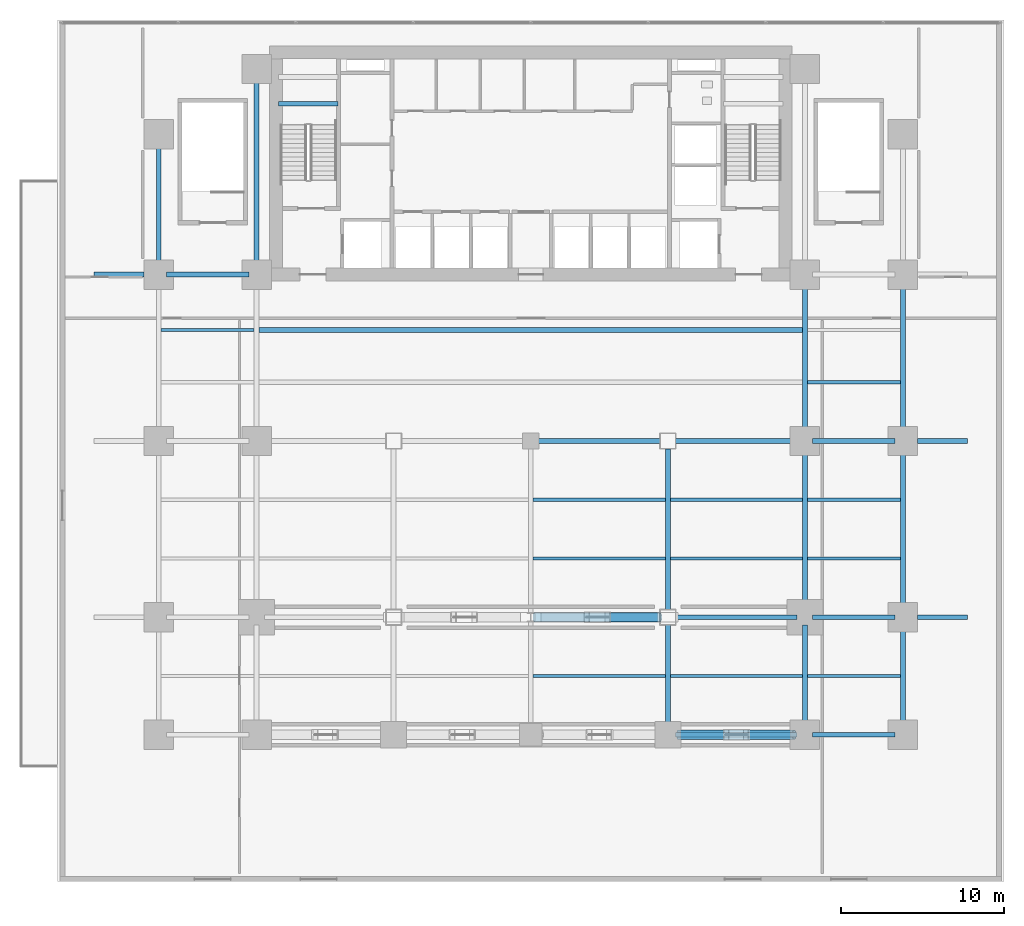
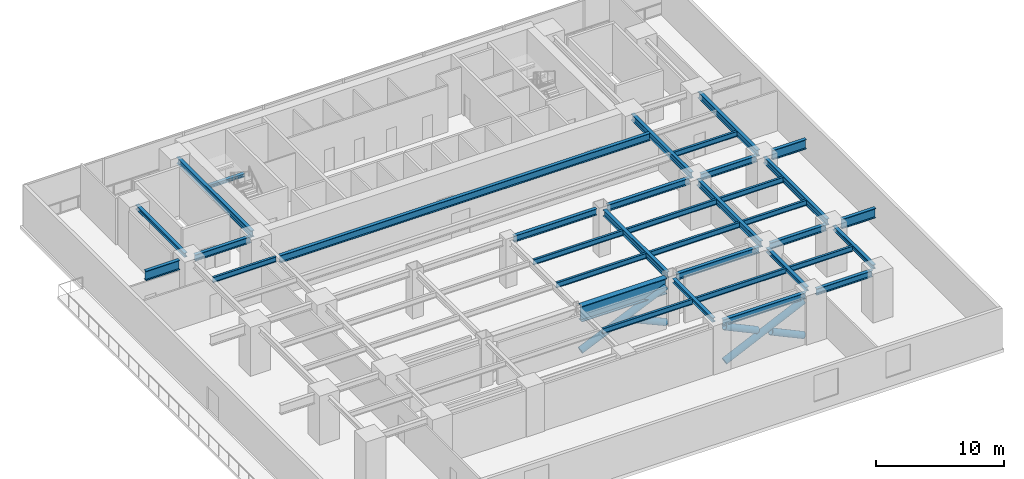
# One storey, part 2 of 15: 35 beams, 5 members.
"""IFC4 building model written with IfcOpenShell, lengths in metres."""

from ifc_helpers import new_model, si_unit, direction, frame, origin, origin_2d, place, context, subcontext, project, spatial, hollow_circle, i_section, extrude, source, transform, mapped, material, material_profile, profile_set, type_object, element, save


model = new_model("IFC4")

# Units and contexts
model_context = context("Model", 3, precision=1e-05, world=origin(), true_north=direction((0.0, 1.0)))
body_context = subcontext(model_context, "Body", "Model", "MODEL_VIEW")
ifc_project = project(units=[si_unit("LENGTHUNIT", "METRE"), si_unit("AREAUNIT", "SQUARE_METRE"), si_unit("VOLUMEUNIT", "CUBIC_METRE"), si_unit("PLANEANGLEUNIT", "RADIAN"), si_unit("MASSUNIT", "GRAM", prefix="KILO")], contexts=[model_context])

# Site, building, storey
site_placement = place(None, origin())
site = spatial("IfcSite", under=ifc_project, at=site_placement, CompositionType="ELEMENT")
building_placement = place(site_placement, origin())
building = spatial("IfcBuilding", under=site, at=building_placement, Name="Sumidabori Civic Tower", CompositionType="ELEMENT")
storey_placement = place(building_placement, frame((0.0, 0.0, 18.949951171875)))
storey = spatial("IfcBuildingStorey", under=building, at=storey_placement, Name="L04", CompositionType="ELEMENT", Elevation=18.949951171875)

# Beams
ifc_material_1 = material(Name="Steel SN490", Category="steel")
ifc_material_profile_1 = material_profile(ifc_material_1, i_section(OverallWidth=0.300048828125, OverallDepth=0.300048828125, WebThickness=0.010986328125, FlangeThickness=0.01904296875, at=origin_2d()), Name="HE 300 B")
ifc_profile_set_1 = profile_set([ifc_material_profile_1], Name="Steel SN490")
beam_type_1 = type_object("IfcBeamType", Name="BM-LDG-300", PredefinedType="BEAM", material=ifc_profile_set_1)
shared_shape_1 = source(origin(), body_context, "Body", "SweptSolid", [
    extrude(i_section(OverallWidth=0.300048828125, OverallDepth=0.300048828125, WebThickness=0.010986328125, FlangeThickness=0.01904296875, at=origin_2d()), origin(), (0.0, 0.0, 1.0), 3.64990234375),
])
beam_1_placement = place(storey_placement, frame((-15.449951171875, 20.668701171875, 1.97509765625), z_axis=(1.0, 0.0, 0.0), x_axis=(0.0, 1.0, 0.0)))
element("IfcBeam", 1, at=beam_1_placement, inside=storey, type_object=beam_type_1, Name="Stair ST-1 Landing Support Beam L04-1A", PredefinedType="BEAM", context=body_context, shape_type="MappedRepresentation", body=[
    mapped(shared_shape_1, transform((0.0, 0.0, 0.0), x_axis=(1.0, 0.0, 0.0), y_axis=(0.0, 1.0, 0.0), z_axis=(0.0, 0.0, 1.0), scale=1.0)),
])
ifc_material_profile_2 = material_profile(ifc_material_1, i_section(OverallWidth=0.300048828125, OverallDepth=0.60009765625, WebThickness=0.015380859375, FlangeThickness=0.030029296875, at=origin_2d()), Name="HE 600 B")
ifc_profile_set_2 = profile_set([ifc_material_profile_2], Name="Steel SN490")
beam_type_2 = type_object("IfcBeamType", Name="BM-GIRD-600", PredefinedType="BEAM", material=ifc_profile_set_2)
shared_shape_2 = source(origin(), body_context, "Body", "SweptSolid", [
    extrude(i_section(OverallWidth=0.300048828125, OverallDepth=0.60009765625, WebThickness=0.015380859375, FlangeThickness=0.030029296875, at=origin_2d()), origin(), (0.0, 0.0, 1.0), 5.0400390625),
])
for number, where, z_axis, x_axis, name in (
    (2, (17.280029296875, -18.0, 4.110107421875), (1.0, 0.0, 0.0), (0.0, 1.0, 0.0), "Primary Girder L04 GX-06"),
    (3, (17.280029296875, -10.800048828125, 4.110107421875), (1.0, 0.0, 0.0), (0.0, 1.0, 0.0), "Primary Girder L04 GX-10"),
    (4, (17.280029296875, 0.0, 4.110107421875), (1.0, 0.0, 0.0), (0.0, 1.0, 0.0), "Primary Girder L04 GX-16"),
    (5, (-22.320068359375, 10.199951171875, 4.110107421875), (1.0, 0.0, 0.0), (0.0, 1.0, 0.0), "Primary Girder L04 GX-17"),
):
    element("IfcBeam", number, at=place(storey_placement, frame(where, z_axis=z_axis, x_axis=x_axis)), inside=storey, type_object=beam_type_2, Name=name, PredefinedType="BEAM", context=body_context, shape_type="MappedRepresentation", body=[
        mapped(shared_shape_2, transform((0.0, 0.0, 0.0), x_axis=(1.0, 0.0, 0.0), y_axis=(0.0, 1.0, 0.0), z_axis=(0.0, 0.0, 1.0), scale=1.0)),
    ])
shared_shape_3 = source(origin(), body_context, "Body", "SweptSolid", [
    extrude(i_section(OverallWidth=0.300048828125, OverallDepth=0.60009765625, WebThickness=0.015380859375, FlangeThickness=0.030029296875, at=origin_2d()), origin(), (0.0, 0.0, 1.0), 7.440185546875),
])
for number, where, z_axis, x_axis, name in (
    (6, (8.8798828125, -18.0, 4.110107421875), (1.0, 0.0, 0.0), (0.0, 1.0, 0.0), "Primary Girder L04 GX-05"),
    (7, (8.8798828125, -10.800048828125, 4.110107421875), (1.0, 0.0, 0.0), (0.0, 1.0, 0.0), "Primary Girder L04 GX-09"),
    (8, (8.8798828125, 0.0, 4.110107421875), (1.0, 0.0, 0.0), (0.0, 1.0, 0.0), "Primary Girder L04 GX-15"),
):
    element("IfcBeam", number, at=place(storey_placement, frame(where, z_axis=z_axis, x_axis=x_axis)), inside=storey, type_object=beam_type_2, Name=name, PredefinedType="BEAM", context=body_context, shape_type="MappedRepresentation", body=[
        mapped(shared_shape_3, transform((0.0, 0.0, 0.0), x_axis=(1.0, 0.0, 0.0), y_axis=(0.0, 1.0, 0.0), z_axis=(0.0, 0.0, 1.0), scale=1.0)),
    ])
shared_shape_4 = source(origin(), body_context, "Body", "SweptSolid", [
    extrude(i_section(OverallWidth=0.300048828125, OverallDepth=0.60009765625, WebThickness=0.015380859375, FlangeThickness=0.030029296875, at=origin_2d()), origin(), (0.0, 0.0, 1.0), 7.43994140625),
])
beam_2_placement = place(storey_placement, frame((0.47998046875, 0.0, 4.110107421875), z_axis=(1.0, 0.0, 0.0), x_axis=(0.0, 1.0, 0.0)))
element("IfcBeam", 9, at=beam_2_placement, inside=storey, type_object=beam_type_2, Name="Primary Girder L04 GX-14", PredefinedType="BEAM", context=body_context, shape_type="MappedRepresentation", body=[
    mapped(shared_shape_4, transform((0.0, 0.0, 0.0), x_axis=(1.0, 0.0, 0.0), y_axis=(0.0, 1.0, 0.0), z_axis=(0.0, 0.0, 1.0), scale=1.0)),
])
ifc_material_profile_3 = material_profile(ifc_material_1, i_section(OverallWidth=0.300048828125, OverallDepth=0.39990234375, WebThickness=0.013427734375, FlangeThickness=0.02392578125, at=origin_2d()), Name="HE 400 B")
ifc_profile_set_3 = profile_set([ifc_material_profile_3], Name="Steel SN490")
beam_type_3 = type_object("IfcBeamType", Name="BM-GIRD-400", PredefinedType="BEAM", material=ifc_profile_set_3)
shared_shape_5 = source(origin(), body_context, "Body", "SweptSolid", [
    extrude(i_section(OverallWidth=0.300048828125, OverallDepth=0.39990234375, WebThickness=0.013427734375, FlangeThickness=0.02392578125, at=origin_2d()), origin(), (0.0, 0.0, 1.0), 6.239990234375),
])
for number, where, z_axis, x_axis, name in (
    (10, (8.39990234375, -17.52001953125, 4.2099609375), (0.0, 1.0, 0.0), (-1.0, 0.0, 0.0), "Primary Girder L04 GY-31"),
    (11, (16.800048828125, -17.52001953125, 4.2099609375), (0.0, 1.0, 0.0), (-1.0, 0.0, 0.0), "Primary Girder L04 GY-33"),
    (12, (22.800048828125, -17.52001953125, 4.2099609375), (0.0, 1.0, 0.0), (-1.0, 0.0, 0.0), "Primary Girder L04 GY-37"),
):
    element("IfcBeam", number, at=place(storey_placement, frame(where, z_axis=z_axis, x_axis=x_axis)), inside=storey, type_object=beam_type_3, Name=name, PredefinedType="BEAM", context=body_context, shape_type="MappedRepresentation", body=[
        mapped(shared_shape_5, transform((0.0, 0.0, 0.0), x_axis=(1.0, 0.0, 0.0), y_axis=(0.0, 1.0, 0.0), z_axis=(0.0, 0.0, 1.0), scale=1.0)),
    ])
shared_shape_6 = source(origin(), body_context, "Body", "SweptSolid", [
    extrude(i_section(OverallWidth=0.300048828125, OverallDepth=0.60009765625, WebThickness=0.015380859375, FlangeThickness=0.030029296875, at=origin_2d()), origin(), (0.0, 0.0, 1.0), 9.840087890625),
])
for number, where, z_axis, x_axis, name in (
    (13, (8.39990234375, -10.320068359375, 4.110107421875), (0.0, 1.0, 0.0), (-1.0, 0.0, 0.0), "Primary Girder L04 GY-32"),
    (14, (16.800048828125, -10.320068359375, 4.110107421875), (0.0, 1.0, 0.0), (-1.0, 0.0, 0.0), "Primary Girder L04 GY-34"),
    (15, (22.800048828125, -10.320068359375, 4.110107421875), (0.0, 1.0, 0.0), (-1.0, 0.0, 0.0), "Primary Girder L04 GY-38"),
):
    element("IfcBeam", number, at=place(storey_placement, frame(where, z_axis=z_axis, x_axis=x_axis)), inside=storey, type_object=beam_type_2, Name=name, PredefinedType="BEAM", context=body_context, shape_type="MappedRepresentation", body=[
        mapped(shared_shape_6, transform((0.0, 0.0, 0.0), x_axis=(1.0, 0.0, 0.0), y_axis=(0.0, 1.0, 0.0), z_axis=(0.0, 0.0, 1.0), scale=1.0)),
    ])
shared_shape_7 = source(origin(), body_context, "Body", "SweptSolid", [
    extrude(i_section(OverallWidth=0.300048828125, OverallDepth=0.60009765625, WebThickness=0.015380859375, FlangeThickness=0.030029296875, at=origin_2d()), origin(), (0.0, 0.0, 1.0), 9.239990234375),
])
for number, where, z_axis, x_axis, name in (
    (16, (16.800048828125, 0.47998046875, 4.110107421875), (0.0, 1.0, 0.0), (-1.0, 0.0, 0.0), "Primary Girder L04 GY-35"),
    (17, (22.800048828125, 0.47998046875, 4.110107421875), (0.0, 1.0, 0.0), (-1.0, 0.0, 0.0), "Primary Girder L04 GY-39"),
):
    element("IfcBeam", number, at=place(storey_placement, frame(where, z_axis=z_axis, x_axis=x_axis)), inside=storey, type_object=beam_type_2, Name=name, PredefinedType="BEAM", context=body_context, shape_type="MappedRepresentation", body=[
        mapped(shared_shape_7, transform((0.0, 0.0, 0.0), x_axis=(1.0, 0.0, 0.0), y_axis=(0.0, 1.0, 0.0), z_axis=(0.0, 0.0, 1.0), scale=1.0)),
    ])
shared_shape_8 = source(origin(), body_context, "Body", "SweptSolid", [
    extrude(i_section(OverallWidth=0.300048828125, OverallDepth=0.39990234375, WebThickness=0.013427734375, FlangeThickness=0.02392578125, at=origin_2d()), origin(), (0.0, 0.0, 1.0), 7.64013671875),
])
beam_3_placement = place(storey_placement, frame((-22.800048828125, 10.679931640625, 4.2099609375), z_axis=(0.0, 1.0, 0.0), x_axis=(-1.0, 0.0, 0.0)))
element("IfcBeam", 18, at=beam_3_placement, inside=storey, type_object=beam_type_3, Name="Primary Girder L04 GY-22", PredefinedType="BEAM", context=body_context, shape_type="MappedRepresentation", body=[
    mapped(shared_shape_8, transform((0.0, 0.0, 0.0), x_axis=(1.0, 0.0, 0.0), y_axis=(0.0, 1.0, 0.0), z_axis=(0.0, 0.0, 1.0), scale=1.0)),
])
shared_shape_9 = source(origin(), body_context, "Body", "SweptSolid", [
    extrude(i_section(OverallWidth=0.300048828125, OverallDepth=0.60009765625, WebThickness=0.015380859375, FlangeThickness=0.030029296875, at=origin_2d()), origin(), (0.0, 0.0, 1.0), 11.64013671875),
])
beam_4_placement = place(storey_placement, frame((-16.800048828125, 10.679931640625, 4.110107421875), z_axis=(0.0, 1.0, 0.0), x_axis=(-1.0, 0.0, 0.0)))
element("IfcBeam", 19, at=beam_4_placement, inside=storey, type_object=beam_type_2, Name="Primary Girder L04 GY-26", PredefinedType="BEAM", context=body_context, shape_type="MappedRepresentation", body=[
    mapped(shared_shape_9, transform((0.0, 0.0, 0.0), x_axis=(1.0, 0.0, 0.0), y_axis=(0.0, 1.0, 0.0), z_axis=(0.0, 0.0, 1.0), scale=1.0)),
])
ifc_material_profile_4 = material_profile(ifc_material_1, i_section(OverallWidth=0.302001953125, OverallDepth=0.909912109375, WebThickness=0.02099609375, FlangeThickness=0.0400390625, at=origin_2d()), Name="HE 900 M")
ifc_profile_set_4 = profile_set([ifc_material_profile_4], Name="Steel SN490")
beam_type_4 = type_object("IfcBeamType", Name="BM-Z1-EDGE", PredefinedType="SPANDREL", material=ifc_profile_set_4)
shared_shape_10 = source(origin(), body_context, "Body", "SweptSolid", [
    extrude(i_section(OverallWidth=0.302001953125, OverallDepth=0.909912109375, WebThickness=0.02099609375, FlangeThickness=0.0400390625, at=origin_2d()), origin(), (0.0, 0.0, 1.0), 3.050048828125),
])
for number, where, z_axis, x_axis, name in (
    (20, (23.699951171875, -10.800048828125, 3.955078125), (1.0, 0.0, 0.0), (0.0, 1.0, 0.0), "Perimeter Overhang Beam L04 E-41"),
    (21, (23.699951171875, 0.0, 3.955078125), (1.0, 0.0, 0.0), (0.0, 1.0, 0.0), "Perimeter Overhang Beam L04 E-43"),
    (22, (-26.75, 10.199951171875, 3.955078125), (1.0, 0.0, 0.0), (0.0, 1.0, 0.0), "Perimeter Overhang Beam L04 W-46"),
):
    element("IfcBeam", number, at=place(storey_placement, frame(where, z_axis=z_axis, x_axis=x_axis)), inside=storey, type_object=beam_type_4, Name=name, PredefinedType="SPANDREL", context=body_context, shape_type="MappedRepresentation", body=[
        mapped(shared_shape_10, transform((0.0, 0.0, 0.0), x_axis=(1.0, 0.0, 0.0), y_axis=(0.0, 1.0, 0.0), z_axis=(0.0, 0.0, 1.0), scale=1.0)),
    ])
ifc_material_profile_5 = material_profile(ifc_material_1, i_section(OverallWidth=0.199951171875, OverallDepth=0.5, WebThickness=0.01025390625, FlangeThickness=0.01611328125, at=origin_2d()), Name="IPE 500")
ifc_profile_set_5 = profile_set([ifc_material_profile_5], Name="Steel SN490")
beam_type_5 = type_object("IfcBeamType", Name="BM-JST-500", PredefinedType="JOIST", material=ifc_profile_set_5)
shared_shape_11 = source(origin(), body_context, "Body", "SweptSolid", [
    extrude(i_section(OverallWidth=0.199951171875, OverallDepth=0.5, WebThickness=0.01025390625, FlangeThickness=0.01611328125, at=origin_2d()), origin(), (0.0, 0.0, 1.0), 5.699951171875),
])
for number, where, z_axis, x_axis, name in (
    (23, (16.949951171875, -7.199951171875, 4.16015625), (1.0, 0.0, 0.0), (0.0, 1.0, 0.0), "Outer Bay Floor Joist L04 JSTO-48"),
    (24, (16.949951171875, -3.60009765625, 4.16015625), (1.0, 0.0, 0.0), (0.0, 1.0, 0.0), "Outer Bay Floor Joist L04 JSTO-50"),
    (25, (16.949951171875, 3.60009765625, 4.16015625), (1.0, 0.0, 0.0), (0.0, 1.0, 0.0), "Outer Bay Floor Joist L04 JSTO-52"),
    (26, (-22.64990234375, 6.800048828125, 4.16015625), (1.0, 0.0, 0.0), (0.0, 1.0, 0.0), "Outer Bay Floor Joist L04 JSTO-53"),
    (27, (16.949951171875, -14.39990234375, 4.16015625), (1.0, 0.0, 0.0), (0.0, 1.0, 0.0), "Outer Bay Floor Joist L04 JSTO-56"),
):
    element("IfcBeam", number, at=place(storey_placement, frame(where, z_axis=z_axis, x_axis=x_axis)), inside=storey, type_object=beam_type_5, Name=name, PredefinedType="JOIST", context=body_context, shape_type="MappedRepresentation", body=[
        mapped(shared_shape_11, transform((0.0, 0.0, 0.0), x_axis=(1.0, 0.0, 0.0), y_axis=(0.0, 1.0, 0.0), z_axis=(0.0, 0.0, 1.0), scale=1.0)),
    ])
ifc_material_profile_6 = material_profile(ifc_material_1, i_section(OverallWidth=0.300048828125, OverallDepth=0.699951171875, WebThickness=0.01708984375, FlangeThickness=0.031982421875, at=origin_2d()), Name="HE 700 B")
ifc_profile_set_6 = profile_set([ifc_material_profile_6], Name="Steel SN490")
beam_type_6 = type_object("IfcBeamType", Name="BM-GIRD-700", PredefinedType="BEAM", material=ifc_profile_set_6)
shared_shape_12 = source(origin(), body_context, "Body", "SweptSolid", [
    extrude(i_section(OverallWidth=0.300048828125, OverallDepth=0.699951171875, WebThickness=0.01708984375, FlangeThickness=0.031982421875, at=origin_2d()), origin(), (0.0, 0.0, 1.0), 33.2998046875),
])
beam_5_placement = place(storey_placement, frame((-16.64990234375, 6.800048828125, 4.06005859375), z_axis=(1.0, 0.0, 0.0), x_axis=(0.0, 1.0, 0.0)))
element("IfcBeam", 28, at=beam_5_placement, inside=storey, type_object=beam_type_6, Name="North Bay Floor Beam L04 JSTN-58", PredefinedType="BEAM", context=body_context, shape_type="MappedRepresentation", body=[
    mapped(shared_shape_12, transform((0.0, 0.0, 0.0), x_axis=(1.0, 0.0, 0.0), y_axis=(0.0, 1.0, 0.0), z_axis=(0.0, 0.0, 1.0), scale=1.0)),
])
shared_shape_13 = source(origin(), body_context, "Body", "SweptSolid", [
    extrude(i_section(OverallWidth=0.199951171875, OverallDepth=0.5, WebThickness=0.01025390625, FlangeThickness=0.01611328125, at=origin_2d()), origin(), (0.0, 0.0, 1.0), 8.099853515625),
])
for number, where, z_axis, x_axis, name in (
    (29, (8.550048828125, -14.39990234375, 4.16015625), (1.0, 0.0, 0.0), (0.0, 1.0, 0.0), "South Bay Floor Joist L04 JSTS-62"),
    (30, (8.550048828125, -7.199951171875, 4.16015625), (1.0, 0.0, 0.0), (0.0, 1.0, 0.0), "South Bay Floor Joist L04 JSTS-66"),
    (31, (8.550048828125, -3.60009765625, 4.16015625), (1.0, 0.0, 0.0), (0.0, 1.0, 0.0), "South Bay Floor Joist L04 JSTS-70"),
):
    element("IfcBeam", number, at=place(storey_placement, frame(where, z_axis=z_axis, x_axis=x_axis)), inside=storey, type_object=beam_type_5, Name=name, PredefinedType="JOIST", context=body_context, shape_type="MappedRepresentation", body=[
        mapped(shared_shape_13, transform((0.0, 0.0, 0.0), x_axis=(1.0, 0.0, 0.0), y_axis=(0.0, 1.0, 0.0), z_axis=(0.0, 0.0, 1.0), scale=1.0)),
    ])
shared_shape_14 = source(origin(), body_context, "Body", "SweptSolid", [
    extrude(i_section(OverallWidth=0.199951171875, OverallDepth=0.5, WebThickness=0.01025390625, FlangeThickness=0.01611328125, at=origin_2d()), origin(), (0.0, 0.0, 1.0), 8.10009765625),
])
for number, where, z_axis, x_axis, name in (
    (32, (0.14990234375, -14.39990234375, 4.16015625), (1.0, 0.0, 0.0), (0.0, 1.0, 0.0), "South Bay Floor Joist L04 JSTS-61"),
    (33, (0.14990234375, -7.199951171875, 4.16015625), (1.0, 0.0, 0.0), (0.0, 1.0, 0.0), "South Bay Floor Joist L04 JSTS-65"),
    (34, (0.14990234375, -3.60009765625, 4.16015625), (1.0, 0.0, 0.0), (0.0, 1.0, 0.0), "South Bay Floor Joist L04 JSTS-69"),
):
    element("IfcBeam", number, at=place(storey_placement, frame(where, z_axis=z_axis, x_axis=x_axis)), inside=storey, type_object=beam_type_5, Name=name, PredefinedType="JOIST", context=body_context, shape_type="MappedRepresentation", body=[
        mapped(shared_shape_14, transform((0.0, 0.0, 0.0), x_axis=(1.0, 0.0, 0.0), y_axis=(0.0, 1.0, 0.0), z_axis=(0.0, 0.0, 1.0), scale=1.0)),
    ])
ifc_material_2 = material(Name="Steel SM570", Category="steel")
ifc_material_profile_7 = material_profile(ifc_material_2, i_section(OverallWidth=0.5, OverallDepth=1.5, WebThickness=0.0380859375, FlangeThickness=0.06396484375, at=origin_2d()), Name="WTG 1500x500")
ifc_profile_set_7 = profile_set([ifc_material_profile_7], Name="Steel SM570")
beam_type_7 = type_object("IfcBeamType", Name="BM-TT-CHORD", PredefinedType="BEAM", material=ifc_profile_set_7)
shared_shape_15 = source(origin(), body_context, "Body", "SweptSolid", [
    extrude(i_section(OverallWidth=0.5, OverallDepth=1.5, WebThickness=0.0380859375, FlangeThickness=0.06396484375, at=origin_2d()), origin(), (0.0, 0.0, 1.0), 7.669921875),
])
beam_6_placement = place(storey_placement, frame((0.25, -10.800048828125, 3.66015625), z_axis=(1.0, 0.0, 0.0), x_axis=(0.0, 1.0, 0.0)))
element("IfcBeam", 35, at=beam_6_placement, inside=storey, type_object=beam_type_7, Name="Podium Transfer Truss Top Chord TT1-T2", PredefinedType="BEAM", context=body_context, shape_type="MappedRepresentation", body=[
    mapped(shared_shape_15, transform((0.0, 0.0, 0.0), x_axis=(1.0, 0.0, 0.0), y_axis=(0.0, 1.0, 0.0), z_axis=(0.0, 0.0, 1.0), scale=1.0)),
])

# Members
ifc_material_profile_8 = material_profile(ifc_material_2, hollow_circle(Radius=0.3046875, WallThickness=0.031982421875, at=origin_2d()), Name="CHS 609.6x32")
ifc_profile_set_8 = profile_set([ifc_material_profile_8], Name="Steel SM570")
member_type = type_object("IfcMemberType", Name="MB-TT-DIAG", PredefinedType="BRACE", material=ifc_profile_set_8)
shared_shape_16 = source(origin(), body_context, "Body", "SweptSolid", [
    extrude(hollow_circle(Radius=0.3046875, WallThickness=0.031982421875, at=origin_2d()), origin(), (0.0, 0.0, 1.0), 8.393798828125),
])
member_1_placement = place(storey_placement, frame((0.25, -10.800048828125, 0.10009765625), z_axis=(0.913764765126, 0.0, 0.406243712583), x_axis=(0.0, 1.0, 0.0)))
element("IfcMember", 36, at=member_1_placement, inside=storey, type_object=member_type, Name="Transfer Truss Diagonal TT1-D1-2", PredefinedType="BRACE", context=body_context, shape_type="MappedRepresentation", body=[
    mapped(shared_shape_16, transform((0.0, 0.0, 0.0), x_axis=(1.0, 0.0, 0.0), y_axis=(0.0, 1.0, 0.0), z_axis=(0.0, 0.0, 1.0), scale=1.0)),
])
shared_shape_17 = source(origin(), body_context, "Body", "SweptSolid", [
    extrude(hollow_circle(Radius=0.3046875, WallThickness=0.031982421875, at=origin_2d()), origin(), (0.0, 0.0, 1.0), 3.4951171875),
])
member_2_placement = place(storey_placement, frame((4.726318359375, -10.800048828125, 1.52001953125), z_axis=(0.913753928274, 0.0, -0.406268087061), x_axis=(0.0, 1.0, 0.0)))
element("IfcMember", 37, at=member_2_placement, inside=storey, type_object=member_type, Name="Transfer Truss Diagonal TT1-D2-2 Upper Segment", PredefinedType="BRACE", context=body_context, shape_type="MappedRepresentation", body=[
    mapped(shared_shape_17, transform((0.0, 0.0, 0.0), x_axis=(1.0, 0.0, 0.0), y_axis=(0.0, 1.0, 0.0), z_axis=(0.0, 0.0, 1.0), scale=1.0)),
])
shared_shape_18 = source(origin(), body_context, "Body", "SweptSolid", [
    extrude(hollow_circle(Radius=0.3046875, WallThickness=0.031982421875, at=origin_2d()), origin(), (0.0, 0.0, 1.0), 7.83349609375),
])
member_3_placement = place(storey_placement, frame((9.050048828125, -18.0, 0.35009765625), z_axis=(0.906339931618, 0.0, 0.422549320618), x_axis=(0.0, 1.0, 0.0)))
element("IfcMember", 38, at=member_3_placement, inside=storey, type_object=member_type, Name="South Braced Frame Diagonal TT2-4A", PredefinedType="BRACE", context=body_context, shape_type="MappedRepresentation", body=[
    mapped(shared_shape_18, transform((0.0, 0.0, 0.0), x_axis=(1.0, 0.0, 0.0), y_axis=(0.0, 1.0, 0.0), z_axis=(0.0, 0.0, 1.0), scale=1.0)),
])
shared_shape_19 = source(origin(), body_context, "Body", "SweptSolid", [
    extrude(hollow_circle(Radius=0.3046875, WallThickness=0.031982421875, at=origin_2d()), origin(), (0.0, 0.0, 1.0), 3.247314453125),
])
for number, where, z_axis, x_axis, name in (
    (39, (9.050048828125, -18.0, 3.66015625), (0.906317543541, 0.0, -0.42259733822), (0.0, 1.0, 0.0), "South Braced Frame Diagonal TT2-4B Lower Segment"),
    (40, (13.206787109375, -18.0, 1.72216796875), (0.906346337566, 0.0, -0.422535580018), (0.0, 1.0, 0.0), "South Braced Frame Diagonal TT2-4B Upper Segment"),
):
    element("IfcMember", number, at=place(storey_placement, frame(where, z_axis=z_axis, x_axis=x_axis)), inside=storey, type_object=member_type, Name=name, PredefinedType="BRACE", context=body_context, shape_type="MappedRepresentation", body=[
        mapped(shared_shape_19, transform((0.0, 0.0, 0.0), x_axis=(1.0, 0.0, 0.0), y_axis=(0.0, 1.0, 0.0), z_axis=(0.0, 0.0, 1.0), scale=1.0)),
    ])

save(model, "model.ifc")
